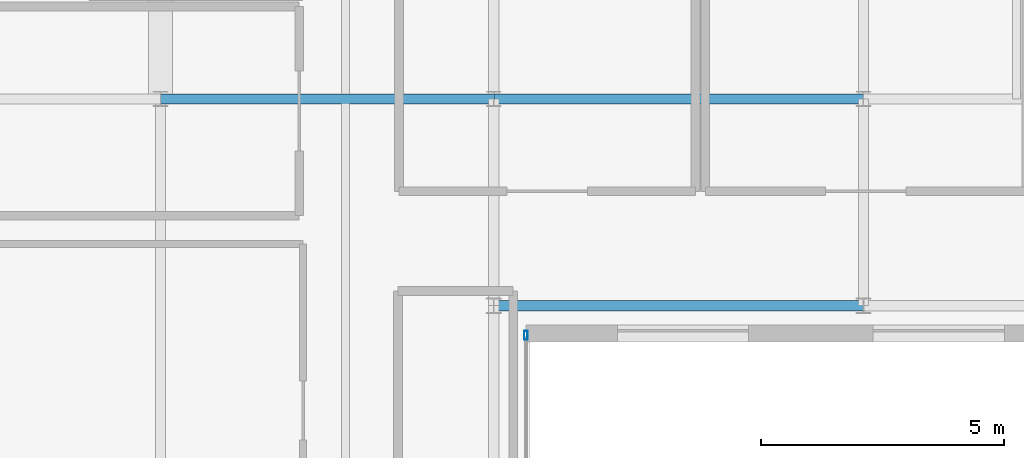
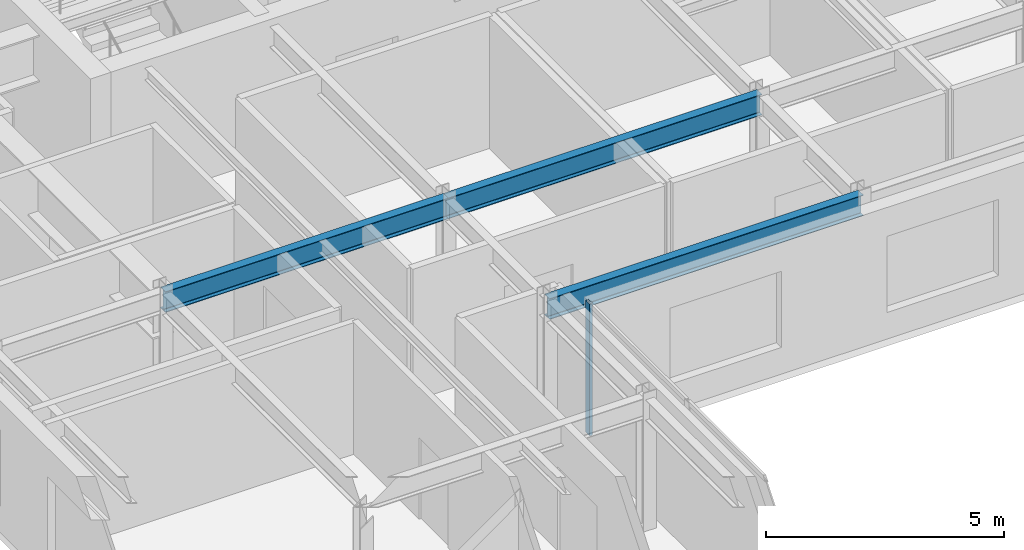
# One storey, part 9 of 18: 3 beams, 1 member, 1 element without a shape of its own.
"""IFC4 building model written with IfcOpenShell, lengths in metres."""

from ifc_helpers import new_model, si_unit, direction, frame, origin, origin_2d, place, context, subcontext, project, spatial, hollow_rectangle, i_section, extrude, source, transform, mapped, material, layer, layer_set, material_profile, profile_set, type_object, type_shapes, element, aggregate, save


model = new_model("IFC4")

# Units and contexts
model_context = context("Model", 3, precision=1e-05, world=origin(), true_north=direction((0.0, 1.0)))
body_context = subcontext(model_context, "Body", "Model", "MODEL_VIEW")
ifc_project = project(units=[si_unit("LENGTHUNIT", "METRE"), si_unit("AREAUNIT", "SQUARE_METRE"), si_unit("VOLUMEUNIT", "CUBIC_METRE"), si_unit("PLANEANGLEUNIT", "RADIAN"), si_unit("MASSUNIT", "GRAM", prefix="KILO")], contexts=[model_context])

# Site, building, storey
site_placement = place(None, origin())
site = spatial("IfcSite", under=ifc_project, at=site_placement, CompositionType="ELEMENT")
building_placement = place(site_placement, origin())
building = spatial("IfcBuilding", under=site, at=building_placement, Name="Tolvann Quenvar Hotel", CompositionType="ELEMENT")
storey_placement = place(building_placement, frame((0.0, 0.0, 252.300048828125)))
storey = spatial("IfcBuildingStorey", under=building, at=storey_placement, Name="L67", CompositionType="ELEMENT", Elevation=252.300048828125)

# Beams
ifc_material_1 = material(Name="Steel Grade 350", Category="steel")
ifc_material_profile_1 = material_profile(ifc_material_1, i_section(OverallWidth=0.208984375, OverallDepth=0.532958984375, WebThickness=0.01025390625, FlangeThickness=0.015625, FilletRadius=0.013916015625, at=origin_2d()), Name="530UB92")
ifc_profile_set_1 = profile_set([ifc_material_profile_1], Name="Steel Grade 350")
beam_type = type_object("IfcBeamType", Name="BM_GIRD_530UB92", PredefinedType="BEAM", material=ifc_profile_set_1)
shared_shape_1 = source(origin(), body_context, "Body", "SweptSolid", [
    extrude(i_section(OverallWidth=0.208984375, OverallDepth=0.532958984375, WebThickness=0.01025390625, FlangeThickness=0.015625, FilletRadius=0.013916015625, at=origin_2d()), origin(), (0.0, 0.0, 1.0), 6.849853515625),
])
beam_placement = place(storey_placement, frame((7.60009765625, 24.39990234375, 3.103515625), z_axis=(1.0, 0.0, 0.0), x_axis=(0.0, 1.0, 0.0)))
element("IfcBeam", 1, at=beam_placement, inside=storey, type_object=beam_type, Name="BM-L67-EW-5-C5-D5", PredefinedType="BEAM", context=body_context, shape_type="MappedRepresentation", body=[
    mapped(shared_shape_1, transform((0.0, 0.0, 0.0), x_axis=(1.0, 0.0, 0.0), y_axis=(0.0, 1.0, 0.0), z_axis=(0.0, 0.0, 1.0), scale=1.0)),
])
shared_shape_2 = source(origin(), body_context, "Body", "SweptSolid", [
    extrude(i_section(OverallWidth=0.208984375, OverallDepth=0.532958984375, WebThickness=0.01025390625, FlangeThickness=0.015625, FilletRadius=0.013916015625, at=origin_2d()), origin(), (0.0, 0.0, 1.0), 7.60009765625),
])
type_shapes(beam_type, [shared_shape_1, shared_shape_2])
for number, where, z_axis, x_axis, name in (
    (2, (14.449951171875, 20.14990234375, 3.103515625), (1.0, 0.0, 0.0), (0.0, 1.0, 0.0), "BM-L67-EW-4P-D4P-E4P"),
    (3, (14.449951171875, 24.39990234375, 3.103515625), (1.0, 0.0, 0.0), (0.0, 1.0, 0.0), "BM-L67-EW-5-D5-E5"),
):
    element("IfcBeam", number, at=place(storey_placement, frame(where, z_axis=z_axis, x_axis=x_axis)), inside=storey, type_object=beam_type, Name=name, PredefinedType="BEAM", context=body_context, shape_type="MappedRepresentation", body=[
        mapped(shared_shape_2, transform((0.0, 0.0, 0.0), x_axis=(1.0, 0.0, 0.0), y_axis=(0.0, 1.0, 0.0), z_axis=(0.0, 0.0, 1.0), scale=1.0)),
    ])

# Curtain wall, member
ifc_material_2 = material(Name="Thermally broken anodised architectural aluminium 6063-T6 and laminated low-E glass", Category="aluminium")
ifc_layer = layer(ifc_material_2, 0.179931640625)
ifc_layer_set = layer_set([ifc_layer], Name="Thermally broken anodised architectural aluminium 6063-T6 and laminated low-E glass")
curtain_wall_type = type_object("IfcCurtainWallType", Name="CW_SYS_PORTAL_05", PredefinedType="USERDEFINED", material=ifc_layer_set)
curtain_wall_placement = place(storey_placement, origin())
curtain_wall = element("IfcCurtainWall", 4, at=curtain_wall_placement, inside=storey, type_object=curtain_wall_type, Name="Curtain Wall CW-PORTAL-05 (CWR-L67-E05)", ObjectType="UNITISED CURTAIN WALL", PredefinedType="USERDEFINED")
ifc_material_3 = material(Name="Anodised architectural aluminium 6063-T6 framing", Category="aluminium")
ifc_material_profile_2 = material_profile(ifc_material_3, hollow_rectangle(XDim=0.070068359375, YDim=0.179931640625, WallThickness=0.00390625, at=origin_2d()), Name="180x70x4RHS")
ifc_profile_set_2 = profile_set([ifc_material_profile_2], Name="Anodised architectural aluminium 6063-T6 framing")
member_type = type_object("IfcMemberType", Name="CW_MULL_180x70", PredefinedType="MULLION", material=ifc_profile_set_2)
shared_shape_3 = source(origin(), body_context, "Body", "SweptSolid", [
    extrude(hollow_rectangle(XDim=0.070068359375, YDim=0.179931640625, WallThickness=0.00390625, at=origin_2d()), origin(), (0.0, 0.0, 1.0), 3.369873046875),
])
type_shapes(member_type, [shared_shape_3])
member_placement = place(storey_placement, frame((15.110107421875, 19.5400390625, 0.0), z_axis=(0.0, 0.0, 1.0), x_axis=(-1.0, 0.0, 0.0)))
member = element("IfcMember", 5, at=member_placement, type_object=member_type, Name="CW-PORTAL-05 mullion 5", PredefinedType="MULLION", context=body_context, shape_type="MappedRepresentation", body=[
    mapped(shared_shape_3, transform((0.0, 0.0, 0.0), x_axis=(1.0, 0.0, 0.0), y_axis=(0.0, 1.0, 0.0), z_axis=(0.0, 0.0, 1.0), scale=1.0)),
])
aggregate(curtain_wall, [member])

save(model, "model.ifc")
